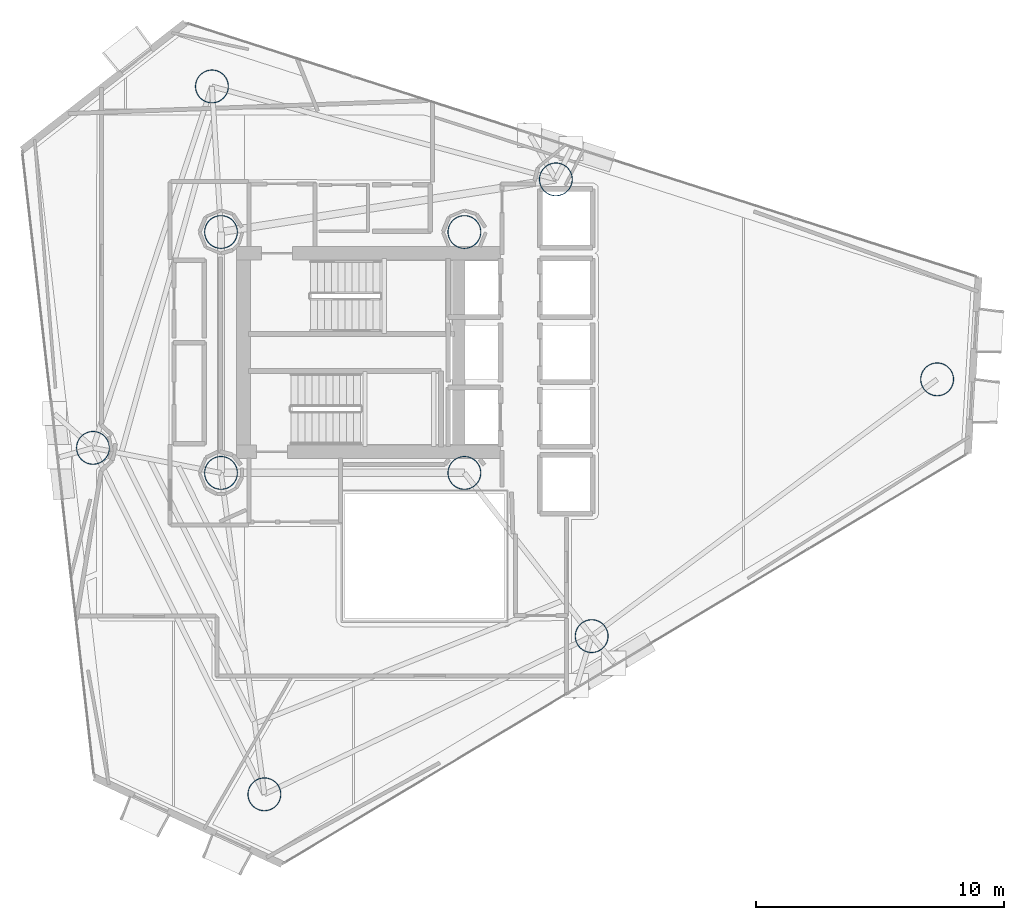
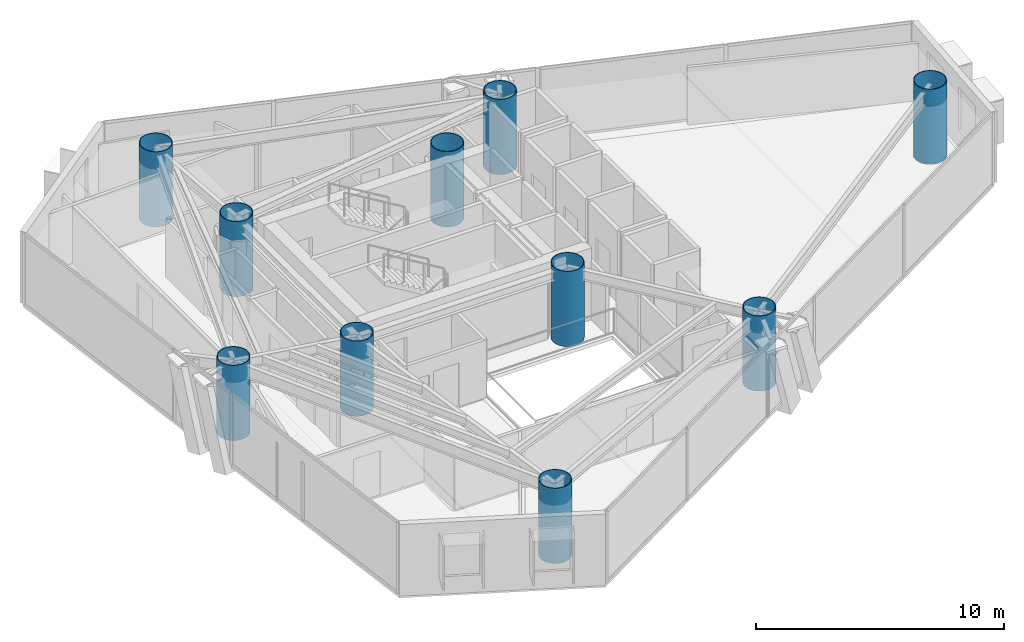
# One storey, part 1 of 22: 10 columns.
"""IFC4 building model written with IfcOpenShell, lengths in metres."""

from ifc_helpers import new_model, si_unit, direction, frame, origin, origin_2d, place, context, subcontext, project, spatial, hollow_circle, extrude, material, material_profile, profile_set, type_object, element, save


model = new_model("IFC4")

# Units and contexts
model_context = context("Model", 3, precision=1e-05, world=origin(), true_north=direction((0.0, 1.0)))
body_context = subcontext(model_context, "Body", "Model", "MODEL_VIEW")
ifc_project = project(units=[si_unit("LENGTHUNIT", "METRE"), si_unit("AREAUNIT", "SQUARE_METRE"), si_unit("VOLUMEUNIT", "CUBIC_METRE"), si_unit("PLANEANGLEUNIT", "RADIAN"), si_unit("MASSUNIT", "GRAM", prefix="KILO")], contexts=[model_context])

# Site, building, storey
site_placement = place(None, origin())
site = spatial("IfcSite", under=ifc_project, at=site_placement, CompositionType="ELEMENT")
building_placement = place(site_placement, origin())
building = spatial("IfcBuilding", under=site, at=building_placement, Name="Qianvela Tower", CompositionType="ELEMENT")
storey_placement = place(building_placement, frame((0.0, 0.0, 173.5)))
storey = spatial("IfcBuildingStorey", under=building, at=storey_placement, Name="L44", CompositionType="ELEMENT", Elevation=173.5)

# Columns
ifc_material = material(Name="Steel Q420GJC", Category="steel")
ifc_material_profile = material_profile(ifc_material, hollow_circle(Radius=0.675048828125, WallThickness=0.031982421875, at=origin_2d()), Name="CFT-1350x32")
ifc_profile_set = profile_set([ifc_material_profile], Name="Steel Q420GJC")
column_type = type_object("IfcColumnType", Name="COL-CFT-1350x32", PredefinedType="COLUMN", material=ifc_profile_set)
for number, where, z_axis, x_axis, name in (
    (1, (28.60009765625, 33.550048828125, 0.0), (0.0, 0.0, 1.0), (1.0, 0.0, 0.0), "L44 Core Corner Mega-Column CC-NW"),
    (2, (28.60009765625, 23.85009765625, 0.0), (0.0, 0.0, 1.0), (1.0, 0.0, 0.0), "L44 Core Corner Mega-Column CC-SW"),
    (3, (38.39990234375, 33.550048828125, 0.0), (0.0, 0.0, 1.0), (1.0, 0.0, 0.0), "L44 Core Corner Mega-Column CC-NE"),
    (4, (38.39990234375, 23.85009765625, 0.0), (0.0, 0.0, 1.0), (1.0, 0.0, 0.0), "L44 Core Corner Mega-Column CC-SE"),
    (5, (57.43408203125, 27.617919921875, 0.0), (0.0, 0.0, 1.0), (1.0, 0.0, 0.0), "L44 Zone Z4 CFT Mega-Column C1"),
    (6, (42.0830078125, 35.6689453125, 0.0), (0.0, 0.0, 1.0), (1.0, 0.0, 0.0), "L44 Zone Z4 CFT Mega-Column C2"),
    (7, (28.235107421875, 39.410888671875, 0.0), (0.0, 0.0, 1.0), (1.0, 0.0, 0.0), "L44 Zone Z4 CFT Mega-Column C3"),
    (8, (23.446044921875, 24.85888671875, 0.0), (0.0, 0.0, 1.0), (1.0, 0.0, 0.0), "L44 Zone Z4 CFT Mega-Column C4"),
    (9, (30.346923828125, 10.908935546875, 0.0), (0.0, 0.0, 1.0), (1.0, 0.0, 0.0), "L44 Zone Z4 CFT Mega-Column C5"),
    (10, (43.52490234375, 17.279052734375, 0.0), (0.0, 0.0, 1.0), (1.0, 0.0, 0.0), "L44 Zone Z4 CFT Mega-Column C6"),
):
    element("IfcColumn", number, at=place(storey_placement, frame(where, z_axis=z_axis, x_axis=x_axis)), inside=storey, type_object=column_type, Name=name, PredefinedType="COLUMN", context=body_context, shape_type="SweptSolid", body=[
        extrude(hollow_circle(Radius=0.675048828125, WallThickness=0.031982421875, at=origin_2d()), origin(), (0.0, 0.0, 1.0), 3.699951171875),
    ])

save(model, "model.ifc")
